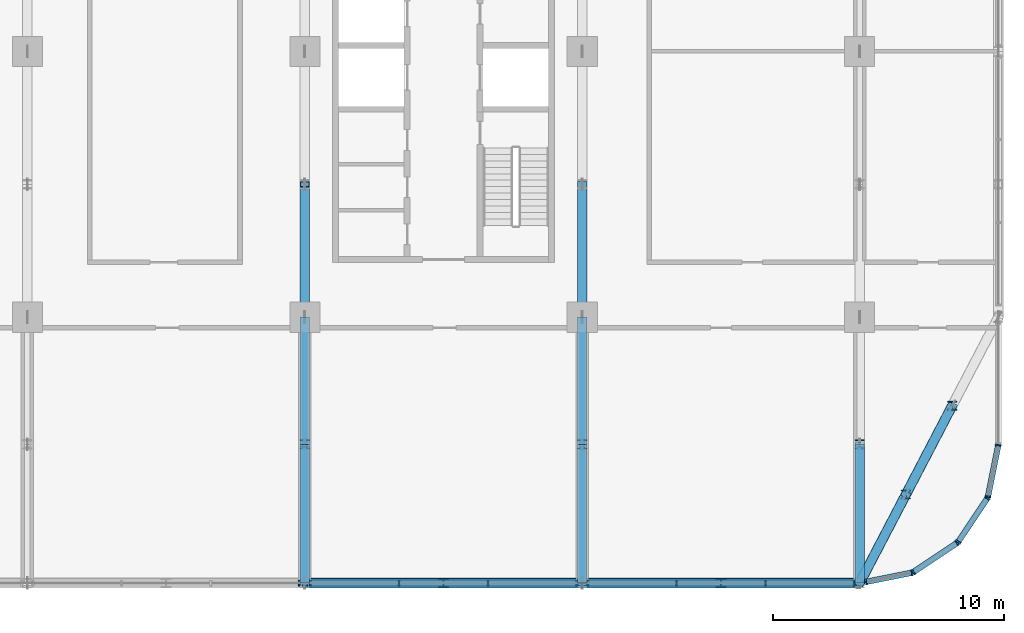
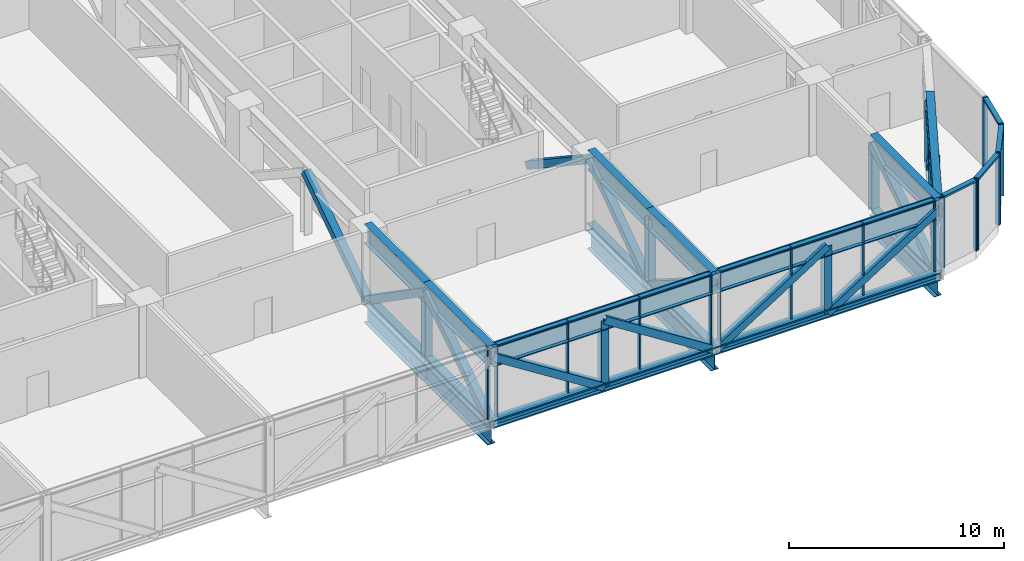
# One storey, part 10 of 30: 63 members, 5 beams, 7 elements without a shape of their own.
"""IFC4 building model written with IfcOpenShell, lengths in metres."""

import ifcopenshell
import ifcopenshell.guid

model = None  # the IFC model being written
_history = None  # IfcOwnerHistory: only IFC2X3 demands one
_inside = {}  # id of a spatial element -> (the spatial element, [elements in it])
_under = {}  # id of a project, library or spatial element -> (it, [spatial elements below it])
_declared = {}  # id of a project -> (the project, [libraries it declares])
_typed = {}  # id of a type object -> (the type object, [elements of that type])
_made_of = {}  # id of a material, layer set ... -> (it, [elements and type objects made of it])


def new_model(schema):
    """Start an empty IFC model of exactly this schema.

    Asked for "IFC4X3", IfcOpenShell would pick the latest addendum, in which some entities
    have other attributes; the version numbers below select the first issue.
    IFC2X3 requires an IfcOwnerHistory on every rooted entity: one is made here for all.
    """
    global model, _history
    if schema == "IFC4X3":
        model = ifcopenshell.file(schema_version=(4, 3, 0, 0))
    else:
        model = ifcopenshell.file(schema=schema)
    _inside.clear()
    _under.clear()
    _declared.clear()
    _typed.clear()
    _made_of.clear()
    _history = None
    if model.schema == "IFC2X3":
        org = make("IfcOrganization", Name="unknown")
        user = make(
            "IfcPersonAndOrganization",
            ThePerson=make("IfcPerson", FamilyName="unknown"),
            TheOrganization=org,
        )
        app = make(
            "IfcApplication",
            ApplicationDeveloper=org,
            Version="unknown",
            ApplicationFullName="unknown",
            ApplicationIdentifier="unknown",
        )
        _history = make(
            "IfcOwnerHistory",
            OwningUser=user,
            OwningApplication=app,
            ChangeAction="ADDED",
            CreationDate=0,
        )
    return model


def make(cls, **values):
    """One entity of the class cls with the attributes given. An attribute that is None is left unset."""
    return model.create_entity(
        cls, **{name: value for name, value in values.items() if value is not None}
    )


def rooted(cls, **values):
    """An entity with a GlobalId (a new one), such as an element, a storey or a relation."""
    return make(cls, GlobalId=ifcopenshell.guid.new(), OwnerHistory=_history, **values)


def si_unit(unit_type, name, prefix=None):
    """IfcSIUnit, for example si_unit("LENGTHUNIT", "METRE", prefix="MILLI")."""
    return make("IfcSIUnit", UnitType=unit_type, Prefix=prefix, Name=name)


def assignment(units):
    """IfcUnitAssignment: the units of a project."""
    return None if units is None else make("IfcUnitAssignment", Units=units)


def point(xyz):
    """IfcCartesianPoint."""
    return None if xyz is None else make("IfcCartesianPoint", Coordinates=xyz)


def direction(xyz):
    """IfcDirection."""
    return None if xyz is None else make("IfcDirection", DirectionRatios=xyz)


def frame(location, z_axis=None, x_axis=None):
    """IfcAxis2Placement3D, a coordinate frame: its origin and axes. An axis left out is left unset."""
    return make(
        "IfcAxis2Placement3D",
        Location=point(location),
        Axis=direction(z_axis),
        RefDirection=direction(x_axis),
    )


def frame_2d(location, x_axis=None):
    """IfcAxis2Placement2D, a coordinate frame in the plane: its origin and x axis."""
    return make(
        "IfcAxis2Placement2D", Location=point(location), RefDirection=direction(x_axis)
    )


def origin():
    """The frame at (0, 0, 0) with its axes left unset."""
    return frame((0.0, 0.0, 0.0))


def origin_2d():
    """The frame at (0, 0) in the plane with its x axis left unset."""
    return frame_2d((0.0, 0.0))


def place(relative_to, where):
    """IfcLocalPlacement: puts the frame where relative to a parent placement (None: the world)."""
    return make(
        "IfcLocalPlacement", PlacementRelTo=relative_to, RelativePlacement=where
    )


def context(
    kind, dimensions, precision=None, world=None, true_north=None, identifier=None
):
    """IfcGeometricRepresentationContext, for example the 3D "Model" context."""
    return make(
        "IfcGeometricRepresentationContext",
        ContextIdentifier=identifier,
        ContextType=kind,
        CoordinateSpaceDimension=dimensions,
        Precision=precision,
        WorldCoordinateSystem=world,
        TrueNorth=true_north,
    )


def subcontext(parent, identifier, kind, view, scale=None):
    """IfcGeometricRepresentationSubContext, for example "Body" below "Model"."""
    return make(
        "IfcGeometricRepresentationSubContext",
        ContextIdentifier=identifier,
        ContextType=kind,
        ParentContext=parent,
        TargetScale=scale,
        TargetView=view,
    )


def project(units=None, contexts=None):
    """IfcProject with its units and contexts."""
    return rooted(
        "IfcProject",
        Name="project",
        RepresentationContexts=contexts,
        UnitsInContext=assignment(units),
    )


def spatial(cls, under=None, at=None, **own):
    """A site, building, storey or space (cls), placed at a placement, below another one or the project."""
    s = rooted(cls, ObjectPlacement=at, **own)
    if under is not None:
        _under.setdefault(under.id(), (under, []))[1].append(s)
    return s


def profile(cls, at=None, kind="AREA", **sizes):
    """A parametric profile (cls). Its sizes go by their IFC names, for example OverallWidth=200.0."""
    return make(cls, ProfileType=kind, Position=at, **sizes)


def rectangle(**sizes):
    """IfcRectangleProfileDef."""
    return profile("IfcRectangleProfileDef", **sizes)


def hollow_rectangle(**sizes):
    """IfcRectangleHollowProfileDef."""
    return profile("IfcRectangleHollowProfileDef", **sizes)


def i_section(**sizes):
    """IfcIShapeProfileDef."""
    return profile("IfcIShapeProfileDef", **sizes)


def extrude(swept, where, along, depth):
    """IfcExtrudedAreaSolid: the profile swept, set in the frame where, extruded along a direction by depth."""
    return make(
        "IfcExtrudedAreaSolid",
        SweptArea=swept,
        Position=where,
        ExtrudedDirection=direction(along),
        Depth=depth,
    )


def shape(context_of_items, identifier, shape_type, items):
    """IfcShapeRepresentation: the items that make up one representation, for example the "Body"."""
    return make(
        "IfcShapeRepresentation",
        ContextOfItems=context_of_items,
        RepresentationIdentifier=identifier,
        RepresentationType=shape_type,
        Items=items,
    )


def material(Name=None, Category=None):
    """IfcMaterial."""
    return make("IfcMaterial", Name=Name, Category=Category)


def material_profile(
    of_material, cross_section, Name=None, Category=None, Priority=None
):
    """IfcMaterialProfile: a cross section and its material."""
    return make(
        "IfcMaterialProfile",
        Name=Name,
        Material=of_material,
        Profile=cross_section,
        Priority=Priority,
        Category=Category,
    )


def profile_set(profiles, Name=None, composite=None):
    """IfcMaterialProfileSet."""
    return make(
        "IfcMaterialProfileSet",
        Name=Name,
        MaterialProfiles=profiles,
        CompositeProfile=composite,
    )


def made_of(thing, what):
    """Note that an element or type object is made of a material, layer set ...; save() writes the relation."""
    if what is not None:
        _made_of.setdefault(what.id(), (what, []))[1].append(thing)
    return thing


def type_object(cls, material=None, **own):
    """A type object (cls), such as IfcWallType, which elements share."""
    return made_of(rooted(cls, **own), material)


def element(
    cls,
    number,
    at=None,
    inside=None,
    cuts=None,
    type_object=None,
    material=None,
    context=None,
    identifier="Body",
    shape_type=None,
    held_by="IfcProductDefinitionShape",
    body=None,
    shapes=None,
    **own,
):
    """One element of the class cls, such as IfcWall. Its Tag is "e" and its number.

    at: its placement. inside: the storey or other place that contains it. cuts: it is an
    opening in that element (IfcRelVoidsElement). A single representation is given by context,
    identifier, shape_type and body (its items); several are given by shapes. held_by: the class
    of the entity that holds the representations. save() writes the other relations.
    """
    e = rooted(cls, Tag="e%d" % number, ObjectPlacement=at, **own)
    if body is not None:
        shapes = [shape(context, identifier, shape_type, body)]
    if shapes is not None:
        e.Representation = make(held_by, Representations=shapes)
    if inside is not None:
        _inside.setdefault(inside.id(), (inside, []))[1].append(e)
    if cuts is not None:
        rooted(
            "IfcRelVoidsElement", RelatingBuildingElement=cuts, RelatedOpeningElement=e
        )
    if type_object is not None:
        _typed.setdefault(type_object.id(), (type_object, []))[1].append(e)
    return made_of(e, material)


def aggregate(whole, parts):
    """IfcRelAggregates: a whole, such as a stair, and the parts it consists of."""
    return rooted("IfcRelAggregates", RelatingObject=whole, RelatedObjects=parts)


def save(model, path):
    """Write the relations noted so far, then the file.

    IfcRelAggregates (storeys below a building ...), IfcRelContainedInSpatialStructure (elements
    in a storey), IfcRelDefinesByType, IfcRelAssociatesMaterial and IfcRelDeclares: one each for
    every whole, place, type object, material and project.
    """
    for whole, parts in _under.values():
        aggregate(whole, parts)
    for where, things in _inside.values():
        rooted(
            "IfcRelContainedInSpatialStructure",
            RelatedElements=things,
            RelatingStructure=where,
        )
    for kind, things in _typed.values():
        rooted("IfcRelDefinesByType", RelatedObjects=things, RelatingType=kind)
    for what, things in _made_of.values():
        rooted("IfcRelAssociatesMaterial", RelatedObjects=things, RelatingMaterial=what)
    for by, libraries in _declared.values():
        rooted("IfcRelDeclares", RelatingContext=by, RelatedDefinitions=libraries)
    model.write(path)


model = new_model("IFC4")

# Units and contexts
model_context = context("Model", 3, precision=1e-05, world=origin(), true_north=direction((0.0, 1.0)))
body_context = subcontext(model_context, "Body", "Model", "MODEL_VIEW")
ifc_project = project(units=[si_unit("LENGTHUNIT", "METRE"), si_unit("AREAUNIT", "SQUARE_METRE"), si_unit("VOLUMEUNIT", "CUBIC_METRE"), si_unit("PLANEANGLEUNIT", "RADIAN"), si_unit("MASSUNIT", "GRAM", prefix="KILO")], contexts=[model_context])

# Site, building, storey
site_placement = place(None, origin())
site = spatial("IfcSite", under=ifc_project, at=site_placement, CompositionType="ELEMENT")
building_placement = place(site_placement, origin())
building = spatial("IfcBuilding", under=site, at=building_placement, Name="Mahtab Terrace Research Tower", CompositionType="ELEMENT")
storey_placement = place(building_placement, frame((0.0, 0.0, 154.800048828125)))
storey = spatial("IfcBuildingStorey", under=building, at=storey_placement, Name="L36", CompositionType="ELEMENT", Elevation=154.800048828125)

# Members
ifc_material_1 = material(Name="Steel ASTM A500 Gr C", Category="steel")
ifc_material_profile_1 = material_profile(ifc_material_1, hollow_rectangle(XDim=0.406494140625, YDim=0.406494140625, WallThickness=0.015869140625, at=origin_2d()), Name="HSS16X16X5/8")
ifc_profile_set_1 = profile_set([ifc_material_profile_1], Name="Steel ASTM A500 Gr C")
member_type_1 = type_object("IfcMemberType", Name="HSS 16x16x5/8 brace TD161658", PredefinedType="BRACE", material=ifc_profile_set_1)
for number, where, z_axis, x_axis, name in (
    (1, (24.0, -23.0, -0.317626953125), (-0.843619081223, 0.0, 0.536942125183), (0.0, -1.0, 0.0), "Transfer truss T4 diagonal 082"),
    (2, (18.0, -23.0, -0.317626953125), (0.0, 0.843619081223, 0.536942125183), (-1.0, 0.0, 0.0), "Transfer truss T4 diagonal 083"),
):
    element("IfcMember", number, at=place(storey_placement, frame(where, z_axis=z_axis, x_axis=x_axis)), inside=storey, type_object=member_type_1, Name=name, PredefinedType="BRACE", context=body_context, shape_type="SweptSolid", body=[
        extrude(hollow_rectangle(XDim=0.406494140625, YDim=0.406494140625, WallThickness=0.015869140625, at=origin_2d()), origin(), (0.0, 0.0, 1.0), 7.1123046875),
    ])
member_1_placement = place(storey_placement, frame((18.0, -11.5, -0.317626953125), z_axis=(0.0, -0.821411720884, 0.570335677294), x_axis=(1.0, 0.0, 0.0)))
element("IfcMember", 3, at=member_1_placement, inside=storey, type_object=member_type_1, Name="Transfer truss T4 diagonal 084", PredefinedType="BRACE", context=body_context, shape_type="SweptSolid", body=[
    extrude(hollow_rectangle(XDim=0.406494140625, YDim=0.406494140625, WallThickness=0.015869140625, at=origin_2d()), origin(), (0.0, 0.0, 1.0), 6.69580078125),
])
member_2_placement = place(storey_placement, frame((18.0, -11.5, -0.317626953125), z_axis=(0.0, 0.833017600398, 0.553246488852), x_axis=(-1.0, 0.0, 0.0)))
element("IfcMember", 4, at=member_2_placement, inside=storey, type_object=member_type_1, Name="Transfer truss T4 diagonal 085", PredefinedType="BRACE", context=body_context, shape_type="SweptSolid", body=[
    extrude(hollow_rectangle(XDim=0.406494140625, YDim=0.406494140625, WallThickness=0.015869140625, at=origin_2d()), origin(), (0.0, 0.0, 1.0), 6.902587890625),
])
for number, where, z_axis, x_axis, name in (
    (5, (30.0, -23.0, -0.317626953125), (-0.843619081223, 0.0, 0.536942125183), (0.0, -1.0, 0.0), "Transfer truss T4 diagonal 094"),
    (6, (30.0, -23.0, -0.317626953125), (0.843619081223, 0.0, 0.536942125183), (0.0, 1.0, 0.0), "Transfer truss T4 diagonal 097"),
    (7, (30.0, -17.0, -0.317626953125), (0.0, -0.843619081223, 0.536942125183), (1.0, 0.0, 0.0), "Transfer truss T4 diagonal 098"),
):
    element("IfcMember", number, at=place(storey_placement, frame(where, z_axis=z_axis, x_axis=x_axis)), inside=storey, type_object=member_type_1, Name=name, PredefinedType="BRACE", context=body_context, shape_type="SweptSolid", body=[
        extrude(hollow_rectangle(XDim=0.406494140625, YDim=0.406494140625, WallThickness=0.015869140625, at=origin_2d()), origin(), (0.0, 0.0, 1.0), 7.1123046875),
    ])
member_3_placement = place(storey_placement, frame((30.0, -17.0, -0.317626953125), z_axis=(0.0, 0.821411720884, 0.570335677294), x_axis=(-1.0, 0.0, 0.0)))
element("IfcMember", 8, at=member_3_placement, inside=storey, type_object=member_type_1, Name="Transfer truss T4 diagonal 099", PredefinedType="BRACE", context=body_context, shape_type="SweptSolid", body=[
    extrude(hollow_rectangle(XDim=0.406494140625, YDim=0.406494140625, WallThickness=0.015869140625, at=origin_2d()), origin(), (0.0, 0.0, 1.0), 6.69580078125),
])
member_4_placement = place(storey_placement, frame((30.0, -5.75, -0.317626953125), z_axis=(0.0, -0.833017600398, 0.553246488852), x_axis=(1.0, 0.0, 0.0)))
element("IfcMember", 9, at=member_4_placement, inside=storey, type_object=member_type_1, Name="Transfer truss T4 diagonal 100", PredefinedType="BRACE", context=body_context, shape_type="SweptSolid", body=[
    extrude(hollow_rectangle(XDim=0.406494140625, YDim=0.406494140625, WallThickness=0.015869140625, at=origin_2d()), origin(), (0.0, 0.0, 1.0), 6.902587890625),
])
member_5_placement = place(storey_placement, frame((36.0, -23.0, -0.317626953125), z_axis=(0.843619081223, 0.0, 0.536942125183), x_axis=(0.0, 1.0, 0.0)))
element("IfcMember", 10, at=member_5_placement, inside=storey, type_object=member_type_1, Name="Transfer truss T4 diagonal 109", PredefinedType="BRACE", context=body_context, shape_type="SweptSolid", body=[
    extrude(hollow_rectangle(XDim=0.406494140625, YDim=0.406494140625, WallThickness=0.015869140625, at=origin_2d()), origin(), (0.0, 0.0, 1.0), 7.1123046875),
])
member_6_placement = place(storey_placement, frame((44.0, -19.1669921875, -0.317626953125), z_axis=(-0.346710822661, -0.66447264597, 0.662017906259), x_axis=(0.886568735502, -0.462596884155, 0.0)))
element("IfcMember", 11, at=member_6_placement, inside=storey, type_object=member_type_1, Name="Transfer truss T4 diagonal 112", PredefinedType="BRACE", context=body_context, shape_type="SweptSolid", body=[
    extrude(hollow_rectangle(XDim=0.406494140625, YDim=0.406494140625, WallThickness=0.015869140625, at=origin_2d()), origin(), (0.0, 0.0, 1.0), 5.7685546875),
])
member_7_placement = place(storey_placement, frame((42.0, -23.0, -0.317626953125), z_axis=(0.0, 0.843619081223, 0.536942125183), x_axis=(-1.0, 0.0, 0.0)))
element("IfcMember", 12, at=member_7_placement, inside=storey, type_object=member_type_1, Name="Transfer truss T4 diagonal 113", PredefinedType="BRACE", context=body_context, shape_type="SweptSolid", body=[
    extrude(hollow_rectangle(XDim=0.406494140625, YDim=0.406494140625, WallThickness=0.015869140625, at=origin_2d()), origin(), (0.0, 0.0, 1.0), 7.1123046875),
])
member_8_placement = place(storey_placement, frame((46.0, -15.3330078125, -0.317626953125), z_axis=(-0.346671822717, -0.664567175775, 0.661943438835), x_axis=(0.886617057815, -0.462504262457, 0.0)))
element("IfcMember", 13, at=member_8_placement, inside=storey, type_object=member_type_1, Name="Transfer truss T4 diagonal 124", PredefinedType="BRACE", context=body_context, shape_type="SweptSolid", body=[
    extrude(hollow_rectangle(XDim=0.406494140625, YDim=0.406494140625, WallThickness=0.015869140625, at=origin_2d()), origin(), (0.0, 0.0, 1.0), 5.76904296875),
])

# Curtain wall, member
ifc_material_2 = material(Name="Sky lounge full-height curtain wall")
curtain_wall_type = type_object("IfcCurtainWallType", Name="Sky lounge full-height curtain wall", PredefinedType="NOTDEFINED", material=ifc_material_2)
curtain_wall_1_placement = place(storey_placement, origin())
curtain_wall_1 = element("IfcCurtainWall", 14, at=curtain_wall_1_placement, inside=storey, type_object=curtain_wall_type, Name="EN.L36.17.4", PredefinedType="NOTDEFINED")
ifc_material_3 = material(Name="Natural anodised aluminium", Category="aluminium")
ifc_material_profile_2 = material_profile(ifc_material_3, rectangle(XDim=0.25, YDim=0.070068359375, at=origin_2d()), Name="MULLION 70x250")
ifc_profile_set_2 = profile_set([ifc_material_profile_2], Name="Natural anodised aluminium")
member_type_2 = type_object("IfcMemberType", Name="Sky lounge full-height curtain wall mullion", PredefinedType="MULLION", material=ifc_profile_set_2)
member_9_placement = place(storey_placement, frame((17.757080078125, -23.0, 0.0), z_axis=(0.0, 0.0, 1.0), x_axis=(0.0, 1.0, 0.0)))
member_9 = element("IfcMember", 15, at=member_9_placement, type_object=member_type_2, Name="CWS-T4 mullion 4", PredefinedType="MULLION", context=body_context, shape_type="SweptSolid", body=[
    extrude(rectangle(XDim=0.25, YDim=0.070068359375, at=origin_2d()), origin(), (0.0, 0.0, 1.0), 4.06005859375),
])
aggregate(curtain_wall_1, [member_9])

# Curtain wall, members
curtain_wall_2_placement = place(storey_placement, origin())
curtain_wall_2 = element("IfcCurtainWall", 16, at=curtain_wall_2_placement, inside=storey, type_object=curtain_wall_type, Name="EN.L36.17.5", PredefinedType="NOTDEFINED")
member_10_placement = place(storey_placement, frame((18.242919921875, -23.0, 0.0), z_axis=(0.0, 0.0, 1.0), x_axis=(0.0, 1.0, 0.0)))
member_10 = element("IfcMember", 17, at=member_10_placement, type_object=member_type_2, Name="CWS-T4 mullion 1", PredefinedType="MULLION", context=body_context, shape_type="SweptSolid", body=[
    extrude(rectangle(XDim=0.25, YDim=0.070068359375, at=origin_2d()), origin(), (0.0, 0.0, 1.0), 4.06005859375),
])
member_11_placement = place(storey_placement, frame((22.0693359375, -23.0, 0.0), z_axis=(0.0, 0.0, 1.0), x_axis=(0.0, 1.0, 0.0)))
member_11 = element("IfcMember", 18, at=member_11_placement, type_object=member_type_2, Name="CWS-T4 mullion 2", PredefinedType="MULLION", context=body_context, shape_type="SweptSolid", body=[
    extrude(rectangle(XDim=0.25, YDim=0.070068359375, at=origin_2d()), origin(), (0.0, 0.0, 1.0), 4.06005859375),
])
member_12_placement = place(storey_placement, frame((25.9306640625, -23.0, 0.0), z_axis=(0.0, 0.0, 1.0), x_axis=(0.0, 1.0, 0.0)))
member_12 = element("IfcMember", 19, at=member_12_placement, type_object=member_type_2, Name="CWS-T4 mullion 3", PredefinedType="MULLION", context=body_context, shape_type="SweptSolid", body=[
    extrude(rectangle(XDim=0.25, YDim=0.070068359375, at=origin_2d()), origin(), (0.0, 0.0, 1.0), 4.06005859375),
])
member_13_placement = place(storey_placement, frame((29.757080078125, -23.0, 0.0), z_axis=(0.0, 0.0, 1.0), x_axis=(0.0, 1.0, 0.0)))
member_13 = element("IfcMember", 20, at=member_13_placement, type_object=member_type_2, Name="CWS-T4 mullion 4", PredefinedType="MULLION", context=body_context, shape_type="SweptSolid", body=[
    extrude(rectangle(XDim=0.25, YDim=0.070068359375, at=origin_2d()), origin(), (0.0, 0.0, 1.0), 4.06005859375),
])

curtain_wall_3_placement = place(storey_placement, origin())
curtain_wall_3 = element("IfcCurtainWall", 21, at=curtain_wall_3_placement, inside=storey, type_object=curtain_wall_type, Name="EN.L36.17.6", PredefinedType="NOTDEFINED")
member_14_placement = place(storey_placement, frame((30.242919921875, -23.0, 0.0), z_axis=(0.0, 0.0, 1.0), x_axis=(0.0, 1.0, 0.0)))
member_14 = element("IfcMember", 22, at=member_14_placement, type_object=member_type_2, Name="CWS-T4 mullion 1", PredefinedType="MULLION", context=body_context, shape_type="SweptSolid", body=[
    extrude(rectangle(XDim=0.25, YDim=0.070068359375, at=origin_2d()), origin(), (0.0, 0.0, 1.0), 4.06005859375),
])
member_15_placement = place(storey_placement, frame((34.0693359375, -23.0, 0.0), z_axis=(0.0, 0.0, 1.0), x_axis=(0.0, 1.0, 0.0)))
member_15 = element("IfcMember", 23, at=member_15_placement, type_object=member_type_2, Name="CWS-T4 mullion 2", PredefinedType="MULLION", context=body_context, shape_type="SweptSolid", body=[
    extrude(rectangle(XDim=0.25, YDim=0.070068359375, at=origin_2d()), origin(), (0.0, 0.0, 1.0), 4.06005859375),
])
member_16_placement = place(storey_placement, frame((37.9306640625, -23.0, 0.0), z_axis=(0.0, 0.0, 1.0), x_axis=(0.0, 1.0, 0.0)))
member_16 = element("IfcMember", 24, at=member_16_placement, type_object=member_type_2, Name="CWS-T4 mullion 3", PredefinedType="MULLION", context=body_context, shape_type="SweptSolid", body=[
    extrude(rectangle(XDim=0.25, YDim=0.070068359375, at=origin_2d()), origin(), (0.0, 0.0, 1.0), 4.06005859375),
])
member_17_placement = place(storey_placement, frame((41.757080078125, -23.0, 0.0), z_axis=(0.0, 0.0, 1.0), x_axis=(0.0, 1.0, 0.0)))
member_17 = element("IfcMember", 25, at=member_17_placement, type_object=member_type_2, Name="CWS-T4 mullion 4", PredefinedType="MULLION", context=body_context, shape_type="SweptSolid", body=[
    extrude(rectangle(XDim=0.25, YDim=0.070068359375, at=origin_2d()), origin(), (0.0, 0.0, 1.0), 4.06005859375),
])

curtain_wall_4_placement = place(storey_placement, origin())
curtain_wall_4 = element("IfcCurtainWall", 26, at=curtain_wall_4_placement, inside=storey, type_object=curtain_wall_type, Name="EN.L36.18.0", PredefinedType="NOTDEFINED")
member_18_placement = place(storey_placement, frame((42.274169921875, -22.9453125, 0.0), z_axis=(0.0, 0.0, 1.0), x_axis=(-0.195212442692, 0.980760981187, 0.0)))
member_18 = element("IfcMember", 27, at=member_18_placement, type_object=member_type_2, Name="CWS-T4 mullion 1", PredefinedType="MULLION", context=body_context, shape_type="SweptSolid", body=[
    extrude(rectangle(XDim=0.25, YDim=0.070068359375, at=origin_2d()), origin(), (0.0, 0.0, 1.0), 4.06005859375),
])
member_19_placement = place(storey_placement, frame((44.26171875, -22.5498046875, 0.0), z_axis=(0.0, 0.0, 1.0), x_axis=(-0.195212442692, 0.980760981187, 0.0)))
member_19 = element("IfcMember", 28, at=member_19_placement, type_object=member_type_2, Name="CWS-T4 mullion 2", PredefinedType="MULLION", context=body_context, shape_type="SweptSolid", body=[
    extrude(rectangle(XDim=0.25, YDim=0.070068359375, at=origin_2d()), origin(), (0.0, 0.0, 1.0), 4.06005859375),
])

curtain_wall_5_placement = place(storey_placement, origin())
curtain_wall_5 = element("IfcCurtainWall", 29, at=curtain_wall_5_placement, inside=storey, type_object=curtain_wall_type, Name="EN.L36.19.0", PredefinedType="NOTDEFINED")
member_20_placement = place(storey_placement, frame((44.3251953125, -22.523681640625, 0.0), z_axis=(0.0, 0.0, 1.0), x_axis=(-0.555291490808, 0.831655794326, 0.0)))
member_20 = element("IfcMember", 30, at=member_20_placement, type_object=member_type_2, Name="CWS-T4 mullion 1", PredefinedType="MULLION", context=body_context, shape_type="SweptSolid", body=[
    extrude(rectangle(XDim=0.25, YDim=0.070068359375, at=origin_2d()), origin(), (0.0, 0.0, 1.0), 4.06005859375),
])
member_21_placement = place(storey_placement, frame((46.2138671875, -21.262451171875, 0.0), z_axis=(0.0, 0.0, 1.0), x_axis=(-0.555291490808, 0.831655794326, 0.0)))
member_21 = element("IfcMember", 31, at=member_21_placement, type_object=member_type_2, Name="CWS-T4 mullion 2", PredefinedType="MULLION", context=body_context, shape_type="SweptSolid", body=[
    extrude(rectangle(XDim=0.25, YDim=0.070068359375, at=origin_2d()), origin(), (0.0, 0.0, 1.0), 4.06005859375),
])

curtain_wall_6_placement = place(storey_placement, origin())
curtain_wall_6 = element("IfcCurtainWall", 32, at=curtain_wall_6_placement, inside=storey, type_object=curtain_wall_type, Name="EN.L36.20.0", PredefinedType="NOTDEFINED")
member_22_placement = place(storey_placement, frame((46.262451171875, -21.2138671875, 0.0), z_axis=(0.0, 0.0, 1.0), x_axis=(-0.831655794326, 0.555291490808, 0.0)))
member_22 = element("IfcMember", 33, at=member_22_placement, type_object=member_type_2, Name="CWS-T4 mullion 1", PredefinedType="MULLION", context=body_context, shape_type="SweptSolid", body=[
    extrude(rectangle(XDim=0.25, YDim=0.070068359375, at=origin_2d()), origin(), (0.0, 0.0, 1.0), 4.06005859375),
])
member_23_placement = place(storey_placement, frame((47.523681640625, -19.3251953125, 0.0), z_axis=(0.0, 0.0, 1.0), x_axis=(-0.831655794326, 0.555291490808, 0.0)))
member_23 = element("IfcMember", 34, at=member_23_placement, type_object=member_type_2, Name="CWS-T4 mullion 2", PredefinedType="MULLION", context=body_context, shape_type="SweptSolid", body=[
    extrude(rectangle(XDim=0.25, YDim=0.070068359375, at=origin_2d()), origin(), (0.0, 0.0, 1.0), 4.06005859375),
])

curtain_wall_7_placement = place(storey_placement, origin())
curtain_wall_7 = element("IfcCurtainWall", 35, at=curtain_wall_7_placement, inside=storey, type_object=curtain_wall_type, Name="EN.L36.21.0", PredefinedType="NOTDEFINED")
member_24_placement = place(storey_placement, frame((47.5498046875, -19.26171875, 0.0), z_axis=(0.0, 0.0, 1.0), x_axis=(-0.980760981187, 0.195212442692, 0.0)))
member_24 = element("IfcMember", 36, at=member_24_placement, type_object=member_type_2, Name="CWS-T4 mullion 1", PredefinedType="MULLION", context=body_context, shape_type="SweptSolid", body=[
    extrude(rectangle(XDim=0.25, YDim=0.070068359375, at=origin_2d()), origin(), (0.0, 0.0, 1.0), 4.06005859375),
])
member_25_placement = place(storey_placement, frame((47.9931640625, -17.034423828125, 0.0), z_axis=(0.0, 0.0, 1.0), x_axis=(-0.980760981187, 0.195212442692, 0.0)))
member_25 = element("IfcMember", 37, at=member_25_placement, type_object=member_type_2, Name="CWS-T4 mullion 2", PredefinedType="MULLION", context=body_context, shape_type="SweptSolid", body=[
    extrude(rectangle(XDim=0.25, YDim=0.070068359375, at=origin_2d()), origin(), (0.0, 0.0, 1.0), 4.06005859375),
])

# Member
ifc_material_profile_3 = material_profile(ifc_material_3, rectangle(XDim=0.25, YDim=0.1201171875, at=origin_2d()), Name="TRANSOM 120x250")
ifc_profile_set_3 = profile_set([ifc_material_profile_3], Name="Natural anodised aluminium")
member_type_3 = type_object("IfcMemberType", Name="Sky lounge full-height curtain wall transom", PredefinedType="USERDEFINED", material=ifc_profile_set_3)
member_26_placement = place(storey_placement, frame((18.278076171875, -23.0, 4.0), z_axis=(1.0, 0.0, 0.0), x_axis=(0.0, 1.0, 0.0)))
member_26 = element("IfcMember", 38, at=member_26_placement, type_object=member_type_3, Name="CWS-T4 transom 1", ObjectType="TRANSOM", PredefinedType="USERDEFINED", context=body_context, shape_type="SweptSolid", body=[
    extrude(rectangle(XDim=0.25, YDim=0.1201171875, at=origin_2d()), origin(), (0.0, 0.0, 1.0), 3.75634765625),
])

member_27_placement = place(storey_placement, frame((22.104248046875, -23.0, 4.0), z_axis=(1.0, 0.0, 0.0), x_axis=(0.0, 1.0, 0.0)))
member_27 = element("IfcMember", 39, at=member_27_placement, type_object=member_type_3, Name="CWS-T4 transom 2", ObjectType="TRANSOM", PredefinedType="USERDEFINED", context=body_context, shape_type="SweptSolid", body=[
    extrude(rectangle(XDim=0.25, YDim=0.1201171875, at=origin_2d()), origin(), (0.0, 0.0, 1.0), 3.79150390625),
])

member_28_placement = place(storey_placement, frame((25.965576171875, -23.0, 4.0), z_axis=(1.0, 0.0, 0.0), x_axis=(0.0, 1.0, 0.0)))
member_28 = element("IfcMember", 40, at=member_28_placement, type_object=member_type_3, Name="CWS-T4 transom 3", ObjectType="TRANSOM", PredefinedType="USERDEFINED", context=body_context, shape_type="SweptSolid", body=[
    extrude(rectangle(XDim=0.25, YDim=0.1201171875, at=origin_2d()), origin(), (0.0, 0.0, 1.0), 3.75634765625),
])

aggregate(curtain_wall_2, [member_10, member_11, member_12, member_13, member_26, member_27, member_28])

member_29_placement = place(storey_placement, frame((30.278076171875, -23.0, 4.0), z_axis=(1.0, 0.0, 0.0), x_axis=(0.0, 1.0, 0.0)))
member_29 = element("IfcMember", 41, at=member_29_placement, type_object=member_type_3, Name="CWS-T4 transom 1", ObjectType="TRANSOM", PredefinedType="USERDEFINED", context=body_context, shape_type="SweptSolid", body=[
    extrude(rectangle(XDim=0.25, YDim=0.1201171875, at=origin_2d()), origin(), (0.0, 0.0, 1.0), 3.75634765625),
])

member_30_placement = place(storey_placement, frame((34.104248046875, -23.0, 4.0), z_axis=(1.0, 0.0, 0.0), x_axis=(0.0, 1.0, 0.0)))
member_30 = element("IfcMember", 42, at=member_30_placement, type_object=member_type_3, Name="CWS-T4 transom 2", ObjectType="TRANSOM", PredefinedType="USERDEFINED", context=body_context, shape_type="SweptSolid", body=[
    extrude(rectangle(XDim=0.25, YDim=0.1201171875, at=origin_2d()), origin(), (0.0, 0.0, 1.0), 3.79150390625),
])

member_31_placement = place(storey_placement, frame((37.965576171875, -23.0, 4.0), z_axis=(1.0, 0.0, 0.0), x_axis=(0.0, 1.0, 0.0)))
member_31 = element("IfcMember", 43, at=member_31_placement, type_object=member_type_3, Name="CWS-T4 transom 3", ObjectType="TRANSOM", PredefinedType="USERDEFINED", context=body_context, shape_type="SweptSolid", body=[
    extrude(rectangle(XDim=0.25, YDim=0.1201171875, at=origin_2d()), origin(), (0.0, 0.0, 1.0), 3.75634765625),
])

aggregate(curtain_wall_3, [member_14, member_15, member_16, member_17, member_29, member_30, member_31])

member_32_placement = place(storey_placement, frame((42.30859375, -22.9384765625, 4.0), z_axis=(0.980767422172, 0.195180079944, 0.0), x_axis=(-0.195180079944, 0.980767422172, 0.0)))
member_32 = element("IfcMember", 44, at=member_32_placement, type_object=member_type_3, Name="CWS-T4 transom 1", ObjectType="TRANSOM", PredefinedType="USERDEFINED", context=body_context, shape_type="SweptSolid", body=[
    extrude(rectangle(XDim=0.25, YDim=0.1201171875, at=origin_2d()), origin(), (0.0, 0.0, 1.0), 1.956298828125),
])

aggregate(curtain_wall_4, [member_18, member_19, member_32])

member_33_placement = place(storey_placement, frame((44.354248046875, -22.504150390625, 4.0), z_axis=(0.831674683806, 0.555263199137, 0.0), x_axis=(-0.555263199137, 0.831674683806, 0.0)))
member_33 = element("IfcMember", 45, at=member_33_placement, type_object=member_type_3, Name="CWS-T4 transom 1", ObjectType="TRANSOM", PredefinedType="USERDEFINED", context=body_context, shape_type="SweptSolid", body=[
    extrude(rectangle(XDim=0.25, YDim=0.1201171875, at=origin_2d()), origin(), (0.0, 0.0, 1.0), 2.201171875),
])

aggregate(curtain_wall_5, [member_20, member_21, member_33])

member_34_placement = place(storey_placement, frame((46.281982421875, -21.184814453125, 4.0), z_axis=(0.555263199137, 0.831674683806, 0.0), x_axis=(-0.831674683806, 0.555263199137, 0.0)))
member_34 = element("IfcMember", 46, at=member_34_placement, type_object=member_type_3, Name="CWS-T4 transom 1", ObjectType="TRANSOM", PredefinedType="USERDEFINED", context=body_context, shape_type="SweptSolid", body=[
    extrude(rectangle(XDim=0.25, YDim=0.1201171875, at=origin_2d()), origin(), (0.0, 0.0, 1.0), 2.201171875),
])

aggregate(curtain_wall_6, [member_22, member_23, member_34])

member_35_placement = place(storey_placement, frame((47.556640625, -19.227294921875, 4.0), z_axis=(0.195220156588, 0.980759445767, 0.0), x_axis=(-0.980759445767, 0.195220156588, 0.0)))
member_35 = element("IfcMember", 47, at=member_35_placement, type_object=member_type_3, Name="CWS-T4 transom 1", ObjectType="TRANSOM", PredefinedType="USERDEFINED", context=body_context, shape_type="SweptSolid", body=[
    extrude(rectangle(XDim=0.25, YDim=0.1201171875, at=origin_2d()), origin(), (0.0, 0.0, 1.0), 2.200927734375),
])

aggregate(curtain_wall_7, [member_24, member_25, member_35])

# Members
ifc_material_4 = material(Name="Steel ASTM A992 Gr 50", Category="steel")
ifc_material_profile_4 = material_profile(ifc_material_4, i_section(OverallWidth=0.396240234375, OverallDepth=0.381103515625, WebThickness=0.018798828125, FlangeThickness=0.0302734375, at=origin_2d()), Name="W14X159")
ifc_profile_set_4 = profile_set([ifc_material_profile_4], Name="Steel ASTM A992 Gr 50")
member_type_4 = type_object("IfcMemberType", Name="W14x159 post TP14159", PredefinedType="POST", material=ifc_profile_set_4)
for number, where, z_axis, x_axis, name in (
    (48, (18.0, -17.0, -0.317626953125), (0.0, 0.0, 1.0), (1.0, 0.0, 0.0), "Transfer truss T4 post 075"),
    (49, (24.0, -23.0, -0.317626953125), (0.0, 0.0, 1.0), (1.0, 0.0, 0.0), "Transfer truss T4 post 084"),
    (50, (30.0, -17.0, -0.317626953125), (0.0, 0.0, 1.0), (1.0, 0.0, 0.0), "Transfer truss T4 post 088"),
    (51, (36.0, -23.0, -0.317626953125), (0.0, 0.0, 1.0), (1.0, 0.0, 0.0), "Transfer truss T4 post 097"),
    (52, (42.0, -17.0, -0.317626953125), (0.0, 0.0, 1.0), (1.0, 0.0, 0.0), "Transfer truss T4 post 101"),
    (53, (44.0, -19.169921875, -0.317626953125), (0.0, 0.0, 1.0), (1.0, 0.0, 0.0), "Transfer truss T4 post 110"),
    (54, (46.0, -15.330078125, -0.317626953125), (0.0, 0.0, 1.0), (1.0, 0.0, 0.0), "Transfer truss T4 post 113"),
):
    element("IfcMember", number, at=place(storey_placement, frame(where, z_axis=z_axis, x_axis=x_axis)), inside=storey, type_object=member_type_4, Name=name, PredefinedType="POST", context=body_context, shape_type="SweptSolid", body=[
        extrude(i_section(OverallWidth=0.396240234375, OverallDepth=0.381103515625, WebThickness=0.018798828125, FlangeThickness=0.0302734375, at=origin_2d()), origin(), (0.0, 0.0, 1.0), 3.81884765625),
    ])
ifc_material_profile_5 = material_profile(ifc_material_4, i_section(OverallWidth=0.421630859375, OverallDepth=0.46484375, WebThickness=0.044921875, FlangeThickness=0.072509765625, at=origin_2d()), Name="W14X398")
ifc_profile_set_5 = profile_set([ifc_material_profile_5], Name="Steel ASTM A992 Gr 50")
member_type_5 = type_object("IfcMemberType", Name="W14x398 chord TC14398", PredefinedType="CHORD", material=ifc_profile_set_5)
for number, where, z_axis, x_axis, name in (
    (55, (18.0, -23.0, -0.317626953125), (1.0, 0.0, 0.0), (0.0, 1.0, 0.0), "Transfer truss T4 bottom chord 021"),
    (56, (30.0, -23.0, -0.317626953125), (1.0, 0.0, 0.0), (0.0, 1.0, 0.0), "Transfer truss T4 bottom chord 022"),
):
    element("IfcMember", number, at=place(storey_placement, frame(where, z_axis=z_axis, x_axis=x_axis)), inside=storey, type_object=member_type_5, Name=name, PredefinedType="CHORD", context=body_context, shape_type="SweptSolid", body=[
        extrude(i_section(OverallWidth=0.421630859375, OverallDepth=0.46484375, WebThickness=0.044921875, FlangeThickness=0.072509765625, at=origin_2d()), origin(), (0.0, 0.0, 1.0), 12.0),
    ])
member_36_placement = place(storey_placement, frame((18.0, -23.0, -0.317626953125), z_axis=(0.0, 1.0, 0.0), x_axis=(-1.0, 0.0, 0.0)))
element("IfcMember", 57, at=member_36_placement, inside=storey, type_object=member_type_5, Name="Transfer truss T4 bottom chord 057", PredefinedType="CHORD", context=body_context, shape_type="SweptSolid", body=[
    extrude(i_section(OverallWidth=0.421630859375, OverallDepth=0.46484375, WebThickness=0.044921875, FlangeThickness=0.072509765625, at=origin_2d()), origin(), (0.0, 0.0, 1.0), 6.0),
])
member_37_placement = place(storey_placement, frame((18.0, -17.0, -0.317626953125), z_axis=(0.0, 1.0, 0.0), x_axis=(-1.0, 0.0, 0.0)))
element("IfcMember", 58, at=member_37_placement, inside=storey, type_object=member_type_5, Name="Transfer truss T4 bottom chord 058", PredefinedType="CHORD", context=body_context, shape_type="SweptSolid", body=[
    extrude(i_section(OverallWidth=0.421630859375, OverallDepth=0.46484375, WebThickness=0.044921875, FlangeThickness=0.072509765625, at=origin_2d()), origin(), (0.0, 0.0, 1.0), 5.5),
])
member_38_placement = place(storey_placement, frame((30.0, -23.0, -0.317626953125), z_axis=(0.0, 1.0, 0.0), x_axis=(-1.0, 0.0, 0.0)))
element("IfcMember", 59, at=member_38_placement, inside=storey, type_object=member_type_5, Name="Transfer truss T4 bottom chord 063", PredefinedType="CHORD", context=body_context, shape_type="SweptSolid", body=[
    extrude(i_section(OverallWidth=0.421630859375, OverallDepth=0.46484375, WebThickness=0.044921875, FlangeThickness=0.072509765625, at=origin_2d()), origin(), (0.0, 0.0, 1.0), 6.0),
])
member_39_placement = place(storey_placement, frame((30.0, -17.0, -0.317626953125), z_axis=(0.0, 1.0, 0.0), x_axis=(-1.0, 0.0, 0.0)))
element("IfcMember", 60, at=member_39_placement, inside=storey, type_object=member_type_5, Name="Transfer truss T4 bottom chord 064", PredefinedType="CHORD", context=body_context, shape_type="SweptSolid", body=[
    extrude(i_section(OverallWidth=0.421630859375, OverallDepth=0.46484375, WebThickness=0.044921875, FlangeThickness=0.072509765625, at=origin_2d()), origin(), (0.0, 0.0, 1.0), 5.5),
])
member_40_placement = place(storey_placement, frame((42.0, -23.0, -0.317626953125), z_axis=(0.4625505693, 0.886592900287, 0.0), x_axis=(-0.886592900287, 0.4625505693, 0.0)))
element("IfcMember", 61, at=member_40_placement, inside=storey, type_object=member_type_5, Name="Transfer truss T4 bottom chord 069", PredefinedType="CHORD", context=body_context, shape_type="SweptSolid", body=[
    extrude(i_section(OverallWidth=0.421630859375, OverallDepth=0.46484375, WebThickness=0.044921875, FlangeThickness=0.072509765625, at=origin_2d()), origin(), (0.0, 0.0, 1.0), 8.647705078125),
])
member_41_placement = place(storey_placement, frame((42.0, -23.0, -0.317626953125), z_axis=(0.0, 1.0, 0.0), x_axis=(-1.0, 0.0, 0.0)))
element("IfcMember", 62, at=member_41_placement, inside=storey, type_object=member_type_5, Name="Transfer truss T4 bottom chord 071", PredefinedType="CHORD", context=body_context, shape_type="SweptSolid", body=[
    extrude(i_section(OverallWidth=0.421630859375, OverallDepth=0.46484375, WebThickness=0.044921875, FlangeThickness=0.072509765625, at=origin_2d()), origin(), (0.0, 0.0, 1.0), 6.0),
])

# Beams
ifc_material_profile_6 = material_profile(ifc_material_4, i_section(OverallWidth=0.4013671875, OverallDepth=1.000732421875, WebThickness=0.01904296875, FlangeThickness=0.0361328125, at=origin_2d()), Name="W40X249")
ifc_profile_set_6 = profile_set([ifc_material_profile_6], Name="Steel ASTM A992 Gr 50")
beam_type = type_object("IfcBeamType", Name="W40x249 transfer girder TG40249", PredefinedType="BEAM", material=ifc_profile_set_6)
beam_1_placement = place(storey_placement, frame((18.0, -23.0, -1.04833984375), z_axis=(0.0, 1.0, 0.0), x_axis=(-1.0, 0.0, 0.0)))
element("IfcBeam", 63, at=beam_1_placement, inside=storey, type_object=beam_type, Name="Transfer girder T4 37", PredefinedType="BEAM", context=body_context, shape_type="SweptSolid", body=[
    extrude(i_section(OverallWidth=0.4013671875, OverallDepth=1.000732421875, WebThickness=0.01904296875, FlangeThickness=0.0361328125, at=origin_2d()), origin(), (0.0, 0.0, 1.0), 6.0),
])
beam_2_placement = place(storey_placement, frame((18.0, -17.0, -1.04833984375), z_axis=(0.0, 1.0, 0.0), x_axis=(-1.0, 0.0, 0.0)))
element("IfcBeam", 64, at=beam_2_placement, inside=storey, type_object=beam_type, Name="Transfer girder T4 38", PredefinedType="BEAM", context=body_context, shape_type="SweptSolid", body=[
    extrude(i_section(OverallWidth=0.4013671875, OverallDepth=1.000732421875, WebThickness=0.01904296875, FlangeThickness=0.0361328125, at=origin_2d()), origin(), (0.0, 0.0, 1.0), 5.5),
])
beam_3_placement = place(storey_placement, frame((30.0, -23.0, -1.04833984375), z_axis=(0.0, 1.0, 0.0), x_axis=(-1.0, 0.0, 0.0)))
element("IfcBeam", 65, at=beam_3_placement, inside=storey, type_object=beam_type, Name="Transfer girder T4 40", PredefinedType="BEAM", context=body_context, shape_type="SweptSolid", body=[
    extrude(i_section(OverallWidth=0.4013671875, OverallDepth=1.000732421875, WebThickness=0.01904296875, FlangeThickness=0.0361328125, at=origin_2d()), origin(), (0.0, 0.0, 1.0), 6.0),
])
beam_4_placement = place(storey_placement, frame((30.0, -17.0, -1.04833984375), z_axis=(0.0, 1.0, 0.0), x_axis=(-1.0, 0.0, 0.0)))
element("IfcBeam", 66, at=beam_4_placement, inside=storey, type_object=beam_type, Name="Transfer girder T4 41", PredefinedType="BEAM", context=body_context, shape_type="SweptSolid", body=[
    extrude(i_section(OverallWidth=0.4013671875, OverallDepth=1.000732421875, WebThickness=0.01904296875, FlangeThickness=0.0361328125, at=origin_2d()), origin(), (0.0, 0.0, 1.0), 5.5),
])
beam_5_placement = place(storey_placement, frame((42.0, -23.0, -1.04833984375), z_axis=(0.0, 1.0, 0.0), x_axis=(-1.0, 0.0, 0.0)))
element("IfcBeam", 67, at=beam_5_placement, inside=storey, type_object=beam_type, Name="Transfer girder T4 43", PredefinedType="BEAM", context=body_context, shape_type="SweptSolid", body=[
    extrude(i_section(OverallWidth=0.4013671875, OverallDepth=1.000732421875, WebThickness=0.01904296875, FlangeThickness=0.0361328125, at=origin_2d()), origin(), (0.0, 0.0, 1.0), 6.0),
])

# Members
ifc_material_profile_7 = material_profile(ifc_material_4, i_section(OverallWidth=0.40380859375, OverallDepth=1.11767578125, WebThickness=0.026123046875, FlangeThickness=0.044921875, at=origin_2d()), Name="W44X335")
ifc_profile_set_7 = profile_set([ifc_material_profile_7], Name="Steel ASTM A992 Gr 50")
member_type_6 = type_object("IfcMemberType", Name="W44x335 chord TT44335", PredefinedType="CHORD", material=ifc_profile_set_7)
for number, where, z_axis, x_axis, name in (
    (68, (18.0, -23.0, 3.501220703125), (1.0, 0.0, 0.0), (0.0, 1.0, 0.0), "Transfer truss T4 top chord 020"),
    (69, (30.0, -23.0, 3.501220703125), (1.0, 0.0, 0.0), (0.0, 1.0, 0.0), "Transfer truss T4 top chord 021"),
):
    element("IfcMember", number, at=place(storey_placement, frame(where, z_axis=z_axis, x_axis=x_axis)), inside=storey, type_object=member_type_6, Name=name, PredefinedType="CHORD", context=body_context, shape_type="SweptSolid", body=[
        extrude(i_section(OverallWidth=0.40380859375, OverallDepth=1.11767578125, WebThickness=0.026123046875, FlangeThickness=0.044921875, at=origin_2d()), origin(), (0.0, 0.0, 1.0), 12.0),
    ])
member_42_placement = place(storey_placement, frame((18.0, -23.0, 3.501220703125), z_axis=(0.0, 1.0, 0.0), x_axis=(-1.0, 0.0, 0.0)))
element("IfcMember", 70, at=member_42_placement, inside=storey, type_object=member_type_6, Name="Transfer truss T4 top chord 056", PredefinedType="CHORD", context=body_context, shape_type="SweptSolid", body=[
    extrude(i_section(OverallWidth=0.40380859375, OverallDepth=1.11767578125, WebThickness=0.026123046875, FlangeThickness=0.044921875, at=origin_2d()), origin(), (0.0, 0.0, 1.0), 6.0),
])
member_43_placement = place(storey_placement, frame((18.0, -17.0, 3.501220703125), z_axis=(0.0, 1.0, 0.0), x_axis=(-1.0, 0.0, 0.0)))
element("IfcMember", 71, at=member_43_placement, inside=storey, type_object=member_type_6, Name="Transfer truss T4 top chord 057", PredefinedType="CHORD", context=body_context, shape_type="SweptSolid", body=[
    extrude(i_section(OverallWidth=0.40380859375, OverallDepth=1.11767578125, WebThickness=0.026123046875, FlangeThickness=0.044921875, at=origin_2d()), origin(), (0.0, 0.0, 1.0), 5.5),
])
member_44_placement = place(storey_placement, frame((30.0, -23.0, 3.501220703125), z_axis=(0.0, 1.0, 0.0), x_axis=(-1.0, 0.0, 0.0)))
element("IfcMember", 72, at=member_44_placement, inside=storey, type_object=member_type_6, Name="Transfer truss T4 top chord 062", PredefinedType="CHORD", context=body_context, shape_type="SweptSolid", body=[
    extrude(i_section(OverallWidth=0.40380859375, OverallDepth=1.11767578125, WebThickness=0.026123046875, FlangeThickness=0.044921875, at=origin_2d()), origin(), (0.0, 0.0, 1.0), 6.0),
])
member_45_placement = place(storey_placement, frame((30.0, -17.0, 3.501220703125), z_axis=(0.0, 1.0, 0.0), x_axis=(-1.0, 0.0, 0.0)))
element("IfcMember", 73, at=member_45_placement, inside=storey, type_object=member_type_6, Name="Transfer truss T4 top chord 063", PredefinedType="CHORD", context=body_context, shape_type="SweptSolid", body=[
    extrude(i_section(OverallWidth=0.40380859375, OverallDepth=1.11767578125, WebThickness=0.026123046875, FlangeThickness=0.044921875, at=origin_2d()), origin(), (0.0, 0.0, 1.0), 5.5),
])
member_46_placement = place(storey_placement, frame((42.0, -23.0, 3.501220703125), z_axis=(0.4625505693, 0.886592900287, 0.0), x_axis=(-0.886592900287, 0.4625505693, 0.0)))
element("IfcMember", 74, at=member_46_placement, inside=storey, type_object=member_type_6, Name="Transfer truss T4 top chord 068", PredefinedType="CHORD", context=body_context, shape_type="SweptSolid", body=[
    extrude(i_section(OverallWidth=0.40380859375, OverallDepth=1.11767578125, WebThickness=0.026123046875, FlangeThickness=0.044921875, at=origin_2d()), origin(), (0.0, 0.0, 1.0), 8.647705078125),
])
member_47_placement = place(storey_placement, frame((42.0, -23.0, 3.501220703125), z_axis=(0.0, 1.0, 0.0), x_axis=(-1.0, 0.0, 0.0)))
element("IfcMember", 75, at=member_47_placement, inside=storey, type_object=member_type_6, Name="Transfer truss T4 top chord 070", PredefinedType="CHORD", context=body_context, shape_type="SweptSolid", body=[
    extrude(i_section(OverallWidth=0.40380859375, OverallDepth=1.11767578125, WebThickness=0.026123046875, FlangeThickness=0.044921875, at=origin_2d()), origin(), (0.0, 0.0, 1.0), 6.0),
])

save(model, "model.ifc")
